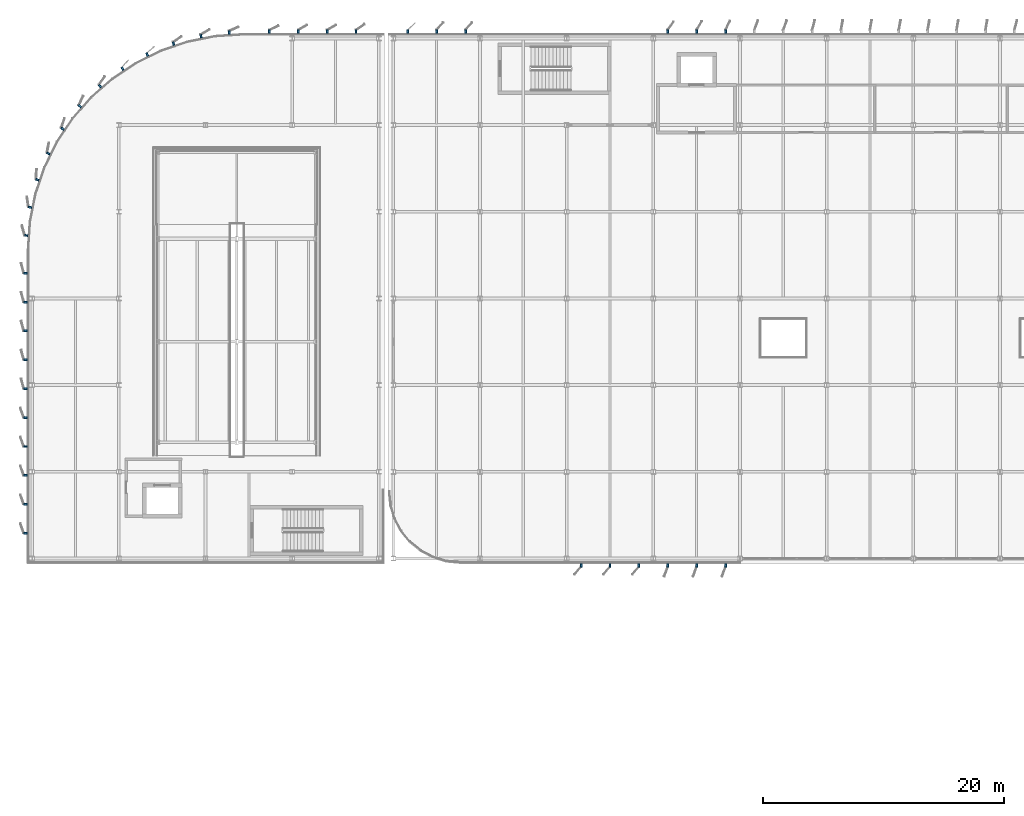
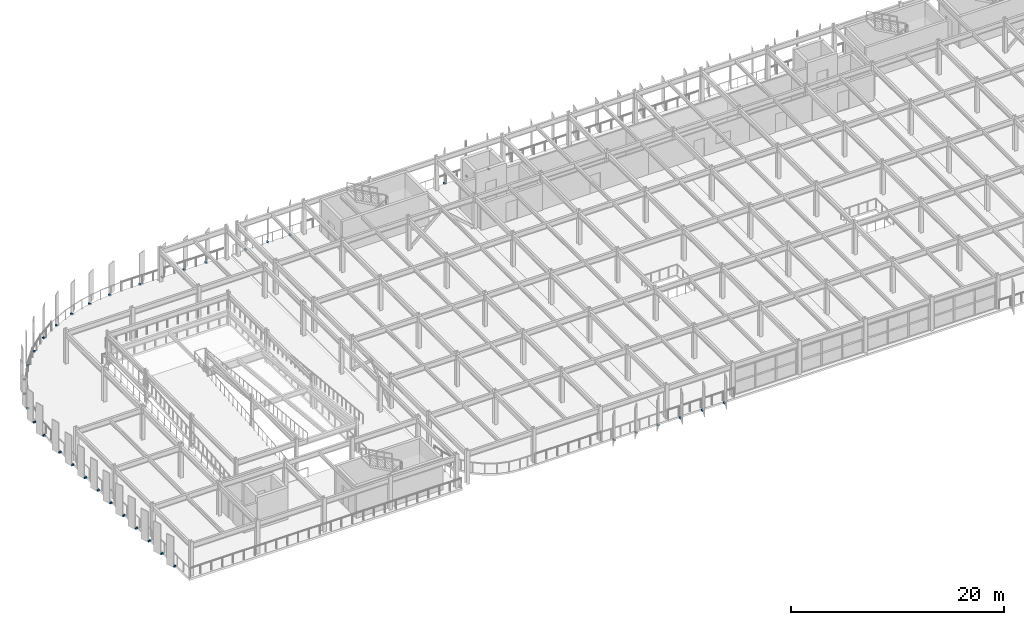
# One storey, part 39 of 52: 38 discrete accessories.
"""IFC4 building model written with IfcOpenShell, lengths in metres."""

from ifc_helpers import new_model, si_unit, direction, frame, origin, origin_2d, place, context, subcontext, project, spatial, rectangle, extrude, material, type_object, element, save


model = new_model("IFC4")

# Units and contexts
model_context = context("Model", 3, precision=1e-05, world=origin(), true_north=direction((0.0, 1.0)))
body_context = subcontext(model_context, "Body", "Model", "MODEL_VIEW")
ifc_project = project(units=[si_unit("LENGTHUNIT", "METRE"), si_unit("AREAUNIT", "SQUARE_METRE"), si_unit("VOLUMEUNIT", "CUBIC_METRE"), si_unit("PLANEANGLEUNIT", "RADIAN"), si_unit("MASSUNIT", "GRAM", prefix="KILO")], contexts=[model_context])

# Site, building, storey
site_placement = place(None, origin())
site = spatial("IfcSite", under=ifc_project, at=site_placement, CompositionType="ELEMENT")
building_placement = place(site_placement, origin())
building = spatial("IfcBuilding", under=site, at=building_placement, Name="Vaelcorin Mobility Hub", CompositionType="ELEMENT")
storey_placement = place(building_placement, frame((0.0, 0.0, 13.199951171875)))
storey = spatial("IfcBuildingStorey", under=building, at=storey_placement, Name="L03", CompositionType="ELEMENT", Elevation=13.199951171875)

# Discrete accessories
ifc_material = material(Name="Galvanised structural steel ASTM A36", Category="steel")
discrete_accessory_type = type_object("IfcDiscreteAccessoryType", Name="ACC-BRK-FIN", PredefinedType="BRACKET", material=ifc_material)
for number, where, z_axis, x_axis, name in (
    (1, (37.199951171875, 120.570068359375, -0.15966796875), (0.0, 0.0, 1.0), (0.0, 1.0, 0.0), "Aerofoil Outrigger Bracket FIN-V4-L03-N-01-BK-01"),
    (2, (39.60009765625, 120.570068359375, -0.15966796875), (0.0, 0.0, 1.0), (0.0, 1.0, 0.0), "Aerofoil Outrigger Bracket FIN-V4-L03-N-01-BK-02"),
    (3, (42.0, 120.570068359375, -0.15966796875), (0.0, 0.0, 1.0), (0.0, 1.0, 0.0), "Aerofoil Outrigger Bracket FIN-V4-L03-N-01-BK-03"),
    (4, (56.39990234375, 76.22998046875, -0.15966796875), (0.0, 0.0, 1.0), (0.0, -1.0, 0.0), "Aerofoil Outrigger Bracket FIN-V4-L03-S-03-BK-01"),
    (5, (54.0, 76.22998046875, -0.15966796875), (0.0, 0.0, 1.0), (0.0, -1.0, 0.0), "Aerofoil Outrigger Bracket FIN-V4-L03-S-03-BK-02"),
    (6, (51.60009765625, 76.22998046875, -0.15966796875), (0.0, 0.0, 1.0), (0.0, -1.0, 0.0), "Aerofoil Outrigger Bracket FIN-V4-L03-S-03-BK-03"),
    (7, (63.60009765625, 76.22998046875, -0.15966796875), (0.0, 0.0, 1.0), (0.0, -1.0, 0.0), "Aerofoil Outrigger Bracket FIN-V4-L03-S-04-BK-01"),
    (8, (61.199951171875, 76.22998046875, -0.15966796875), (0.0, 0.0, 1.0), (0.0, -1.0, 0.0), "Aerofoil Outrigger Bracket FIN-V4-L03-S-04-BK-02"),
    (9, (58.800048828125, 76.22998046875, -0.15966796875), (0.0, 0.0, 1.0), (0.0, -1.0, 0.0), "Aerofoil Outrigger Bracket FIN-V4-L03-S-04-BK-03"),
    (10, (58.800048828125, 120.570068359375, -0.15966796875), (0.0, 0.0, 1.0), (0.0, 1.0, 0.0), "Aerofoil Outrigger Bracket FIN-V4-L03-N-04-BK-01"),
    (11, (61.199951171875, 120.570068359375, -0.15966796875), (0.0, 0.0, 1.0), (0.0, 1.0, 0.0), "Aerofoil Outrigger Bracket FIN-V4-L03-N-04-BK-02"),
    (12, (63.60009765625, 120.570068359375, -0.15966796875), (0.0, 0.0, 1.0), (0.0, 1.0, 0.0), "Aerofoil Outrigger Bracket FIN-V4-L03-N-04-BK-03"),
    (13, (25.699951171875, 120.570068359375, -0.15966796875), (0.0, 0.0, 1.0), (0.0, 1.0, 0.0), "Aerofoil Outrigger Bracket FIN-V2W-L03-N-BK-01"),
    (14, (28.10009765625, 120.570068359375, -0.15966796875), (0.0, 0.0, 1.0), (0.0, 1.0, 0.0), "Aerofoil Outrigger Bracket FIN-V2W-L03-N-BK-02"),
    (15, (30.5, 120.570068359375, -0.15966796875), (0.0, 0.0, 1.0), (0.0, 1.0, 0.0), "Aerofoil Outrigger Bracket FIN-V2W-L03-N-BK-03"),
    (16, (32.89990234375, 120.570068359375, -0.15966796875), (0.0, 0.0, 1.0), (0.0, 1.0, 0.0), "Aerofoil Outrigger Bracket FIN-V2W-L03-N-BK-04"),
    (17, (22.367919921875, 120.492919921875, -0.15966796875), (0.0, 0.0, 1.0), (-0.065420545144, 0.997857781587, 0.0), "Aerofoil Outrigger Bracket FIN-V2W-L03-ABK-01"),
    (18, (20.02294921875, 120.18408203125, -0.15966796875), (0.0, 0.0, 1.0), (-0.19488490255, 0.980826118513, 0.0), "Aerofoil Outrigger Bracket FIN-V2W-L03-ABK-02"),
    (19, (17.738037109375, 119.572021484375, -0.15966796875), (0.0, 0.0, 1.0), (-0.321571678558, 0.946885238849, 0.0), "Aerofoil Outrigger Bracket FIN-V2W-L03-ABK-03"),
    (20, (15.552978515625, 118.6669921875, -0.15966796875), (0.0, 0.0, 1.0), (-0.442445217305, 0.896795533934, 0.0), "Aerofoil Outrigger Bracket FIN-V2W-L03-ABK-04"),
    (21, (13.50390625, 117.48388671875, -0.15966796875), (0.0, 0.0, 1.0), (-0.555483158679, 0.831527786922, 0.0), "Aerofoil Outrigger Bracket FIN-V2W-L03-ABK-05"),
    (22, (11.6279296875, 116.0439453125, -0.15966796875), (0.0, 0.0, 1.0), (-0.659280202189, 0.751897343393, 0.0), "Aerofoil Outrigger Bracket FIN-V2W-L03-ABK-06"),
    (23, (9.9560546875, 114.3720703125, -0.15966796875), (0.0, 0.0, 1.0), (-0.751897343393, 0.659280202189, 0.0), "Aerofoil Outrigger Bracket FIN-V2W-L03-ABK-07"),
    (24, (8.51611328125, 112.49609375, -0.15966796875), (0.0, 0.0, 1.0), (-0.831527786922, 0.555483158679, 0.0), "Aerofoil Outrigger Bracket FIN-V2W-L03-ABK-08"),
    (25, (7.3330078125, 110.447021484375, -0.15966796875), (0.0, 0.0, 1.0), (-0.896795533934, 0.442445217305, 0.0), "Aerofoil Outrigger Bracket FIN-V2W-L03-ABK-09"),
    (26, (6.427978515625, 108.261962890625, -0.15966796875), (0.0, 0.0, 1.0), (-0.946885238849, 0.321571678558, 0.0), "Aerofoil Outrigger Bracket FIN-V2W-L03-ABK-10"),
    (27, (5.81591796875, 105.97705078125, -0.15966796875), (0.0, 0.0, 1.0), (-0.980826118513, 0.19488490255, 0.0), "Aerofoil Outrigger Bracket FIN-V2W-L03-ABK-11"),
    (28, (5.507080078125, 103.632080078125, -0.15966796875), (0.0, 0.0, 1.0), (-0.997857781587, 0.065420545144, 0.0), "Aerofoil Outrigger Bracket FIN-V2W-L03-ABK-12"),
    (29, (5.429931640625, 78.89990234375, -0.15966796875), (0.0, 0.0, 1.0), (-1.0, 0.0, 0.0), "Aerofoil Outrigger Bracket FIN-V2W-L03-W-BK-01"),
    (30, (5.429931640625, 81.300048828125, -0.15966796875), (0.0, 0.0, 1.0), (-1.0, 0.0, 0.0), "Aerofoil Outrigger Bracket FIN-V2W-L03-W-BK-02"),
    (31, (5.429931640625, 83.699951171875, -0.15966796875), (0.0, 0.0, 1.0), (-1.0, 0.0, 0.0), "Aerofoil Outrigger Bracket FIN-V2W-L03-W-BK-03"),
    (32, (5.429931640625, 86.10009765625, -0.15966796875), (0.0, 0.0, 1.0), (-1.0, 0.0, 0.0), "Aerofoil Outrigger Bracket FIN-V2W-L03-W-BK-04"),
    (33, (5.429931640625, 88.5, -0.15966796875), (0.0, 0.0, 1.0), (-1.0, 0.0, 0.0), "Aerofoil Outrigger Bracket FIN-V2W-L03-W-BK-05"),
    (34, (5.429931640625, 90.89990234375, -0.15966796875), (0.0, 0.0, 1.0), (-1.0, 0.0, 0.0), "Aerofoil Outrigger Bracket FIN-V2W-L03-W-BK-06"),
    (35, (5.429931640625, 93.300048828125, -0.15966796875), (0.0, 0.0, 1.0), (-1.0, 0.0, 0.0), "Aerofoil Outrigger Bracket FIN-V2W-L03-W-BK-07"),
    (36, (5.429931640625, 95.699951171875, -0.15966796875), (0.0, 0.0, 1.0), (-1.0, 0.0, 0.0), "Aerofoil Outrigger Bracket FIN-V2W-L03-W-BK-08"),
    (37, (5.429931640625, 98.10009765625, -0.15966796875), (0.0, 0.0, 1.0), (-1.0, 0.0, 0.0), "Aerofoil Outrigger Bracket FIN-V2W-L03-W-BK-09"),
    (38, (5.429931640625, 100.5, -0.15966796875), (0.0, 0.0, 1.0), (-1.0, 0.0, 0.0), "Aerofoil Outrigger Bracket FIN-V2W-L03-W-BK-10"),
):
    element("IfcDiscreteAccessory", number, at=place(storey_placement, frame(where, z_axis=z_axis, x_axis=x_axis)), inside=storey, type_object=discrete_accessory_type, Name=name, PredefinedType="BRACKET", context=body_context, shape_type="SweptSolid", body=[
        extrude(rectangle(XDim=0.280029296875, YDim=0.159912109375, at=origin_2d()), origin(), (0.0, 0.0, 1.0), 0.159912109375),
    ])

save(model, "model.ifc")
